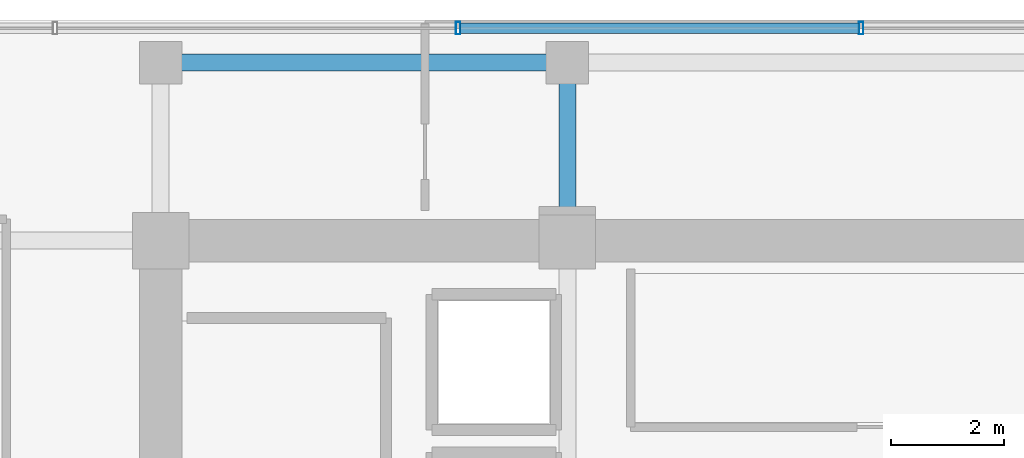
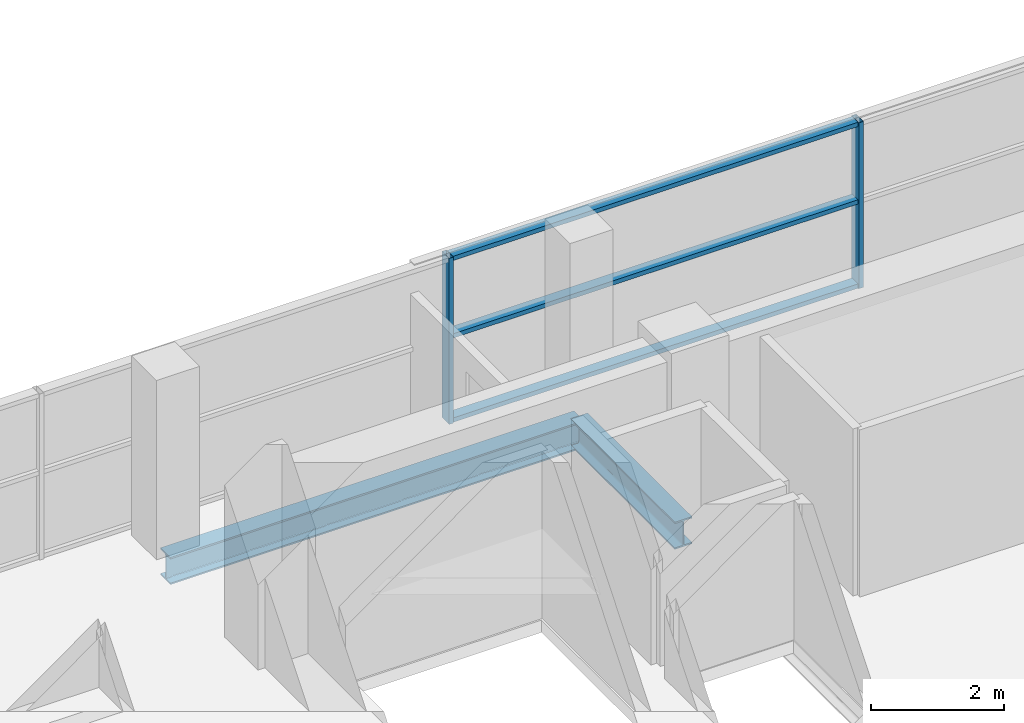
# One storey, part 13 of 23: 5 members, 2 beams, 1 element without a shape of its own.
"""IFC4 building model written with IfcOpenShell, lengths in metres."""

import ifcopenshell
import ifcopenshell.guid

model = None  # the IFC model being written
_history = None  # IfcOwnerHistory: only IFC2X3 demands one
_inside = {}  # id of a spatial element -> (the spatial element, [elements in it])
_under = {}  # id of a project, library or spatial element -> (it, [spatial elements below it])
_declared = {}  # id of a project -> (the project, [libraries it declares])
_typed = {}  # id of a type object -> (the type object, [elements of that type])
_made_of = {}  # id of a material, layer set ... -> (it, [elements and type objects made of it])


def new_model(schema):
    """Start an empty IFC model of exactly this schema.

    Asked for "IFC4X3", IfcOpenShell would pick the latest addendum, in which some entities
    have other attributes; the version numbers below select the first issue.
    IFC2X3 requires an IfcOwnerHistory on every rooted entity: one is made here for all.
    """
    global model, _history
    if schema == "IFC4X3":
        model = ifcopenshell.file(schema_version=(4, 3, 0, 0))
    else:
        model = ifcopenshell.file(schema=schema)
    _inside.clear()
    _under.clear()
    _declared.clear()
    _typed.clear()
    _made_of.clear()
    _history = None
    if model.schema == "IFC2X3":
        org = make("IfcOrganization", Name="unknown")
        user = make(
            "IfcPersonAndOrganization",
            ThePerson=make("IfcPerson", FamilyName="unknown"),
            TheOrganization=org,
        )
        app = make(
            "IfcApplication",
            ApplicationDeveloper=org,
            Version="unknown",
            ApplicationFullName="unknown",
            ApplicationIdentifier="unknown",
        )
        _history = make(
            "IfcOwnerHistory",
            OwningUser=user,
            OwningApplication=app,
            ChangeAction="ADDED",
            CreationDate=0,
        )
    return model


def make(cls, **values):
    """One entity of the class cls with the attributes given. An attribute that is None is left unset."""
    return model.create_entity(
        cls, **{name: value for name, value in values.items() if value is not None}
    )


def rooted(cls, **values):
    """An entity with a GlobalId (a new one), such as an element, a storey or a relation."""
    return make(cls, GlobalId=ifcopenshell.guid.new(), OwnerHistory=_history, **values)


def si_unit(unit_type, name, prefix=None):
    """IfcSIUnit, for example si_unit("LENGTHUNIT", "METRE", prefix="MILLI")."""
    return make("IfcSIUnit", UnitType=unit_type, Prefix=prefix, Name=name)


def assignment(units):
    """IfcUnitAssignment: the units of a project."""
    return None if units is None else make("IfcUnitAssignment", Units=units)


def point(xyz):
    """IfcCartesianPoint."""
    return None if xyz is None else make("IfcCartesianPoint", Coordinates=xyz)


def direction(xyz):
    """IfcDirection."""
    return None if xyz is None else make("IfcDirection", DirectionRatios=xyz)


def frame(location, z_axis=None, x_axis=None):
    """IfcAxis2Placement3D, a coordinate frame: its origin and axes. An axis left out is left unset."""
    return make(
        "IfcAxis2Placement3D",
        Location=point(location),
        Axis=direction(z_axis),
        RefDirection=direction(x_axis),
    )


def frame_2d(location, x_axis=None):
    """IfcAxis2Placement2D, a coordinate frame in the plane: its origin and x axis."""
    return make(
        "IfcAxis2Placement2D", Location=point(location), RefDirection=direction(x_axis)
    )


def origin():
    """The frame at (0, 0, 0) with its axes left unset."""
    return frame((0.0, 0.0, 0.0))


def origin_2d():
    """The frame at (0, 0) in the plane with its x axis left unset."""
    return frame_2d((0.0, 0.0))


def place(relative_to, where):
    """IfcLocalPlacement: puts the frame where relative to a parent placement (None: the world)."""
    return make(
        "IfcLocalPlacement", PlacementRelTo=relative_to, RelativePlacement=where
    )


def context(
    kind, dimensions, precision=None, world=None, true_north=None, identifier=None
):
    """IfcGeometricRepresentationContext, for example the 3D "Model" context."""
    return make(
        "IfcGeometricRepresentationContext",
        ContextIdentifier=identifier,
        ContextType=kind,
        CoordinateSpaceDimension=dimensions,
        Precision=precision,
        WorldCoordinateSystem=world,
        TrueNorth=true_north,
    )


def subcontext(parent, identifier, kind, view, scale=None):
    """IfcGeometricRepresentationSubContext, for example "Body" below "Model"."""
    return make(
        "IfcGeometricRepresentationSubContext",
        ContextIdentifier=identifier,
        ContextType=kind,
        ParentContext=parent,
        TargetScale=scale,
        TargetView=view,
    )


def project(units=None, contexts=None):
    """IfcProject with its units and contexts."""
    return rooted(
        "IfcProject",
        Name="project",
        RepresentationContexts=contexts,
        UnitsInContext=assignment(units),
    )


def spatial(cls, under=None, at=None, **own):
    """A site, building, storey or space (cls), placed at a placement, below another one or the project."""
    s = rooted(cls, ObjectPlacement=at, **own)
    if under is not None:
        _under.setdefault(under.id(), (under, []))[1].append(s)
    return s


def profile(cls, at=None, kind="AREA", **sizes):
    """A parametric profile (cls). Its sizes go by their IFC names, for example OverallWidth=200.0."""
    return make(cls, ProfileType=kind, Position=at, **sizes)


def hollow_rectangle(**sizes):
    """IfcRectangleHollowProfileDef."""
    return profile("IfcRectangleHollowProfileDef", **sizes)


def i_section(**sizes):
    """IfcIShapeProfileDef."""
    return profile("IfcIShapeProfileDef", **sizes)


def extrude(swept, where, along, depth):
    """IfcExtrudedAreaSolid: the profile swept, set in the frame where, extruded along a direction by depth."""
    return make(
        "IfcExtrudedAreaSolid",
        SweptArea=swept,
        Position=where,
        ExtrudedDirection=direction(along),
        Depth=depth,
    )


def shape(context_of_items, identifier, shape_type, items):
    """IfcShapeRepresentation: the items that make up one representation, for example the "Body"."""
    return make(
        "IfcShapeRepresentation",
        ContextOfItems=context_of_items,
        RepresentationIdentifier=identifier,
        RepresentationType=shape_type,
        Items=items,
    )


def source(mapping_origin, context_of_items, identifier, shape_type, items):
    """IfcRepresentationMap: a shape defined once, which mapped items show again and again."""
    return make(
        "IfcRepresentationMap",
        MappingOrigin=mapping_origin,
        MappedRepresentation=shape(context_of_items, identifier, shape_type, items),
    )


def transform(
    local_origin,
    x_axis=None,
    y_axis=None,
    z_axis=None,
    scale=None,
    scale2=None,
    scale3=None,
    uniform=True,
):
    """IfcCartesianTransformationOperator3D, or its non-uniform kind. x_axis, y_axis, z_axis: its Axis1, 2, 3."""
    if uniform:
        return make(
            "IfcCartesianTransformationOperator3D",
            Axis1=direction(x_axis),
            Axis2=direction(y_axis),
            LocalOrigin=point(local_origin),
            Scale=scale,
            Axis3=direction(z_axis),
        )
    return make(
        "IfcCartesianTransformationOperator3DnonUniform",
        Axis1=direction(x_axis),
        Axis2=direction(y_axis),
        LocalOrigin=point(local_origin),
        Scale=scale,
        Axis3=direction(z_axis),
        Scale2=scale2,
        Scale3=scale3,
    )


def mapped(mapping_source, mapping_target):
    """IfcMappedItem: shows the shape of a source again, moved by a transform."""
    return make(
        "IfcMappedItem", MappingSource=mapping_source, MappingTarget=mapping_target
    )


def material(Name=None, Category=None):
    """IfcMaterial."""
    return make("IfcMaterial", Name=Name, Category=Category)


def layer(
    of_material, thickness, ventilated=None, Name=None, Category=None, Priority=None
):
    """IfcMaterialLayer: one layer of a wall or slab, of a material (None: an air gap)."""
    return make(
        "IfcMaterialLayer",
        Material=of_material,
        LayerThickness=thickness,
        IsVentilated=ventilated,
        Name=Name,
        Category=Category,
        Priority=Priority,
    )


def layer_set(layers, Name=None):
    """IfcMaterialLayerSet."""
    return make("IfcMaterialLayerSet", MaterialLayers=layers, LayerSetName=Name)


def material_profile(
    of_material, cross_section, Name=None, Category=None, Priority=None
):
    """IfcMaterialProfile: a cross section and its material."""
    return make(
        "IfcMaterialProfile",
        Name=Name,
        Material=of_material,
        Profile=cross_section,
        Priority=Priority,
        Category=Category,
    )


def profile_set(profiles, Name=None, composite=None):
    """IfcMaterialProfileSet."""
    return make(
        "IfcMaterialProfileSet",
        Name=Name,
        MaterialProfiles=profiles,
        CompositeProfile=composite,
    )


def made_of(thing, what):
    """Note that an element or type object is made of a material, layer set ...; save() writes the relation."""
    if what is not None:
        _made_of.setdefault(what.id(), (what, []))[1].append(thing)
    return thing


def type_object(cls, material=None, **own):
    """A type object (cls), such as IfcWallType, which elements share."""
    return made_of(rooted(cls, **own), material)


def element(
    cls,
    number,
    at=None,
    inside=None,
    cuts=None,
    type_object=None,
    material=None,
    context=None,
    identifier="Body",
    shape_type=None,
    held_by="IfcProductDefinitionShape",
    body=None,
    shapes=None,
    **own,
):
    """One element of the class cls, such as IfcWall. Its Tag is "e" and its number.

    at: its placement. inside: the storey or other place that contains it. cuts: it is an
    opening in that element (IfcRelVoidsElement). A single representation is given by context,
    identifier, shape_type and body (its items); several are given by shapes. held_by: the class
    of the entity that holds the representations. save() writes the other relations.
    """
    e = rooted(cls, Tag="e%d" % number, ObjectPlacement=at, **own)
    if body is not None:
        shapes = [shape(context, identifier, shape_type, body)]
    if shapes is not None:
        e.Representation = make(held_by, Representations=shapes)
    if inside is not None:
        _inside.setdefault(inside.id(), (inside, []))[1].append(e)
    if cuts is not None:
        rooted(
            "IfcRelVoidsElement", RelatingBuildingElement=cuts, RelatedOpeningElement=e
        )
    if type_object is not None:
        _typed.setdefault(type_object.id(), (type_object, []))[1].append(e)
    return made_of(e, material)


def aggregate(whole, parts):
    """IfcRelAggregates: a whole, such as a stair, and the parts it consists of."""
    return rooted("IfcRelAggregates", RelatingObject=whole, RelatedObjects=parts)


def save(model, path):
    """Write the relations noted so far, then the file.

    IfcRelAggregates (storeys below a building ...), IfcRelContainedInSpatialStructure (elements
    in a storey), IfcRelDefinesByType, IfcRelAssociatesMaterial and IfcRelDeclares: one each for
    every whole, place, type object, material and project.
    """
    for whole, parts in _under.values():
        aggregate(whole, parts)
    for where, things in _inside.values():
        rooted(
            "IfcRelContainedInSpatialStructure",
            RelatedElements=things,
            RelatingStructure=where,
        )
    for kind, things in _typed.values():
        rooted("IfcRelDefinesByType", RelatedObjects=things, RelatingType=kind)
    for what, things in _made_of.values():
        rooted("IfcRelAssociatesMaterial", RelatedObjects=things, RelatingMaterial=what)
    for by, libraries in _declared.values():
        rooted("IfcRelDeclares", RelatingContext=by, RelatedDefinitions=libraries)
    model.write(path)


model = new_model("IFC4")

# Units and contexts
model_context = context("Model", 3, precision=1e-05, world=origin(), true_north=direction((0.0, 1.0)))
body_context = subcontext(model_context, "Body", "Model", "MODEL_VIEW")
ifc_project = project(units=[si_unit("LENGTHUNIT", "METRE"), si_unit("AREAUNIT", "SQUARE_METRE"), si_unit("VOLUMEUNIT", "CUBIC_METRE"), si_unit("PLANEANGLEUNIT", "RADIAN"), si_unit("MASSUNIT", "GRAM", prefix="KILO")], contexts=[model_context])

# Site, building, storey
site_placement = place(None, origin())
site = spatial("IfcSite", under=ifc_project, at=site_placement, CompositionType="ELEMENT")
building_placement = place(site_placement, origin())
building = spatial("IfcBuilding", under=site, at=building_placement, Name="Zarnakvel Exchange Tower", CompositionType="ELEMENT")
storey_placement = place(building_placement, frame((0.0, 0.0, 149.5)))
storey = spatial("IfcBuildingStorey", under=building, at=storey_placement, Name="L41", CompositionType="ELEMENT", Elevation=149.5)

# Beams
ifc_material_1 = material(Name="Steel S355", Category="steel")
ifc_material_profile_1 = material_profile(ifc_material_1, i_section(OverallWidth=0.300048828125, OverallDepth=0.5, WebThickness=0.014404296875, FlangeThickness=0.028076171875, FilletRadius=0.027099609375, at=origin_2d()))
ifc_profile_set_1 = profile_set([ifc_material_profile_1], Name="Steel S355")
beam_type_1 = type_object("IfcBeamType", Name="G-06", PredefinedType="BEAM", material=ifc_profile_set_1)
beam_1_placement = place(storey_placement, frame((-7.199951171875, 13.5, -0.47509765625), z_axis=(0.0, 1.0, 0.0), x_axis=(-1.0, 0.0, 0.0)))
element("IfcBeam", 1, at=beam_1_placement, inside=storey, type_object=beam_type_1, Name="L41 Tower N-S Frame Beam", PredefinedType="BEAM", context=body_context, shape_type="SweptSolid", body=[
    extrude(i_section(OverallWidth=0.300048828125, OverallDepth=0.5, WebThickness=0.014404296875, FlangeThickness=0.028076171875, FilletRadius=0.027099609375, at=origin_2d()), origin(), (0.0, 0.0, 1.0), 3.14990234375),
])
ifc_material_profile_2 = material_profile(ifc_material_1, i_section(OverallWidth=0.300048828125, OverallDepth=0.5, WebThickness=0.014404296875, FlangeThickness=0.028076171875, FilletRadius=0.027099609375, at=origin_2d()))
ifc_profile_set_2 = profile_set([ifc_material_profile_2], Name="Steel S355")
beam_type_2 = type_object("IfcBeamType", Name="SP-02", PredefinedType="SPANDREL", material=ifc_profile_set_2)
beam_2_placement = place(storey_placement, frame((-14.39990234375, 16.64990234375, -0.47509765625), z_axis=(1.0, 0.0, 0.0), x_axis=(0.0, 1.0, 0.0)))
element("IfcBeam", 2, at=beam_2_placement, inside=storey, type_object=beam_type_2, Name="L41 Tower E-W Frame Beam", PredefinedType="SPANDREL", context=body_context, shape_type="SweptSolid", body=[
    extrude(i_section(OverallWidth=0.300048828125, OverallDepth=0.5, WebThickness=0.014404296875, FlangeThickness=0.028076171875, FilletRadius=0.027099609375, at=origin_2d()), origin(), (0.0, 0.0, 1.0), 7.199951171875),
])

# Curtain wall, members
ifc_material_2 = material(Name="Architectural Bronze Anodised Aluminium", Category="aluminium")
ifc_layer = layer(ifc_material_2, 0.219970703125)
ifc_layer_set = layer_set([ifc_layer], Name="Architectural Bronze Anodised Aluminium")
curtain_wall_type = type_object("IfcCurtainWallType", Name="CW-03", PredefinedType="NOTDEFINED", material=ifc_layer_set)
curtain_wall_placement = place(storey_placement, origin())
curtain_wall = element("IfcCurtainWall", 3, at=curtain_wall_placement, inside=storey, type_object=curtain_wall_type, Name="L41 Curtain Wall CW-L41-N1 (CW-03)", PredefinedType="NOTDEFINED")
ifc_material_profile_3 = material_profile(ifc_material_2, hollow_rectangle(XDim=0.219970703125, YDim=0.080078125, WallThickness=0.0048828125, at=origin_2d()))
ifc_profile_set_3 = profile_set([ifc_material_profile_3], Name="Architectural Bronze Anodised Aluminium")
member_type_1 = type_object("IfcMemberType", Name="CWM-03", PredefinedType="MULLION", material=ifc_profile_set_3)
shared_shape_1 = source(origin(), body_context, "Body", "SweptSolid", [
    extrude(hollow_rectangle(XDim=0.219970703125, YDim=0.080078125, WallThickness=0.0048828125, at=origin_2d()), origin(), (0.0, 0.0, 1.0), 3.054931640625),
])
member_1_placement = place(storey_placement, frame((-9.13330078125, 17.260009765625, 0.0), z_axis=(0.0, 0.0, 1.0), x_axis=(0.0, 1.0, 0.0)))
member_1 = element("IfcMember", 4, at=member_1_placement, type_object=member_type_1, Name="CW-03 mullion 3", PredefinedType="MULLION", context=body_context, shape_type="MappedRepresentation", body=[
    mapped(shared_shape_1, transform((0.0, 0.0, 0.0), x_axis=(1.0, 0.0, 0.0), y_axis=(0.0, 1.0, 0.0), z_axis=(0.0, 0.0, 1.0), scale=1.0)),
])
member_2_placement = place(storey_placement, frame((-2.0, 17.260009765625, 0.0), z_axis=(0.0, 0.0, 1.0), x_axis=(0.0, 1.0, 0.0)))
member_2 = element("IfcMember", 5, at=member_2_placement, type_object=member_type_1, Name="CW-03 mullion 4", PredefinedType="MULLION", context=body_context, shape_type="MappedRepresentation", body=[
    mapped(shared_shape_1, transform((0.0, 0.0, 0.0), x_axis=(1.0, 0.0, 0.0), y_axis=(0.0, 1.0, 0.0), z_axis=(0.0, 0.0, 1.0), scale=1.0)),
])
ifc_material_profile_4 = material_profile(ifc_material_2, hollow_rectangle(XDim=0.179931640625, YDim=0.080078125, WallThickness=0.00390625, at=origin_2d()))
ifc_profile_set_4 = profile_set([ifc_material_profile_4], Name="Architectural Bronze Anodised Aluminium")
member_type_2 = type_object("IfcMemberType", Name="CWT-03", PredefinedType="USERDEFINED", material=ifc_profile_set_4)
shared_shape_2 = source(origin(), body_context, "Body", "SweptSolid", [
    extrude(hollow_rectangle(XDim=0.179931640625, YDim=0.080078125, WallThickness=0.00390625, at=origin_2d()), origin(), (0.0, 0.0, 1.0), 7.05322265625),
])
member_3_placement = place(storey_placement, frame((-9.09326171875, 17.260009765625, 0.0400390625), z_axis=(1.0, 0.0, 0.0), x_axis=(0.0, 1.0, 0.0)))
member_3 = element("IfcMember", 6, at=member_3_placement, type_object=member_type_2, Name="CW-03 transom 3.1", ObjectType="TRANSOM", PredefinedType="USERDEFINED", context=body_context, shape_type="MappedRepresentation", body=[
    mapped(shared_shape_2, transform((0.0, 0.0, 0.0), x_axis=(1.0, 0.0, 0.0), y_axis=(0.0, 1.0, 0.0), z_axis=(0.0, 0.0, 1.0), scale=1.0)),
])
member_4_placement = place(storey_placement, frame((-9.09326171875, 17.260009765625, 1.588623046875), z_axis=(1.0, 0.0, 0.0), x_axis=(0.0, 1.0, 0.0)))
member_4 = element("IfcMember", 7, at=member_4_placement, type_object=member_type_2, Name="CW-03 transom 3.2", ObjectType="TRANSOM", PredefinedType="USERDEFINED", context=body_context, shape_type="MappedRepresentation", body=[
    mapped(shared_shape_2, transform((0.0, 0.0, 0.0), x_axis=(1.0, 0.0, 0.0), y_axis=(0.0, 1.0, 0.0), z_axis=(0.0, 0.0, 1.0), scale=1.0)),
])
member_5_placement = place(storey_placement, frame((-9.09326171875, 17.260009765625, 3.014892578125), z_axis=(1.0, 0.0, 0.0), x_axis=(0.0, 1.0, 0.0)))
member_5 = element("IfcMember", 8, at=member_5_placement, type_object=member_type_2, Name="CW-03 transom 3.3", ObjectType="TRANSOM", PredefinedType="USERDEFINED", context=body_context, shape_type="MappedRepresentation", body=[
    mapped(shared_shape_2, transform((0.0, 0.0, 0.0), x_axis=(1.0, 0.0, 0.0), y_axis=(0.0, 1.0, 0.0), z_axis=(0.0, 0.0, 1.0), scale=1.0)),
])
aggregate(curtain_wall, [member_1, member_2, member_3, member_4, member_5])

save(model, "model.ifc")
